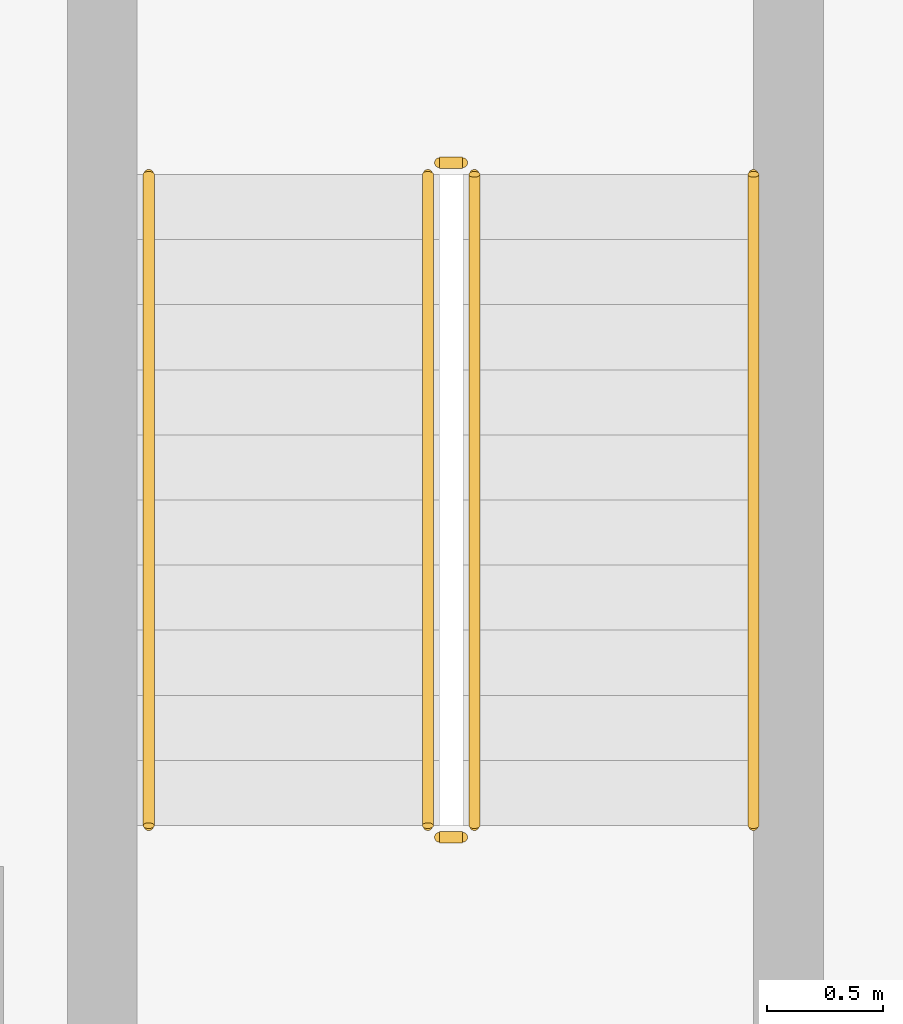
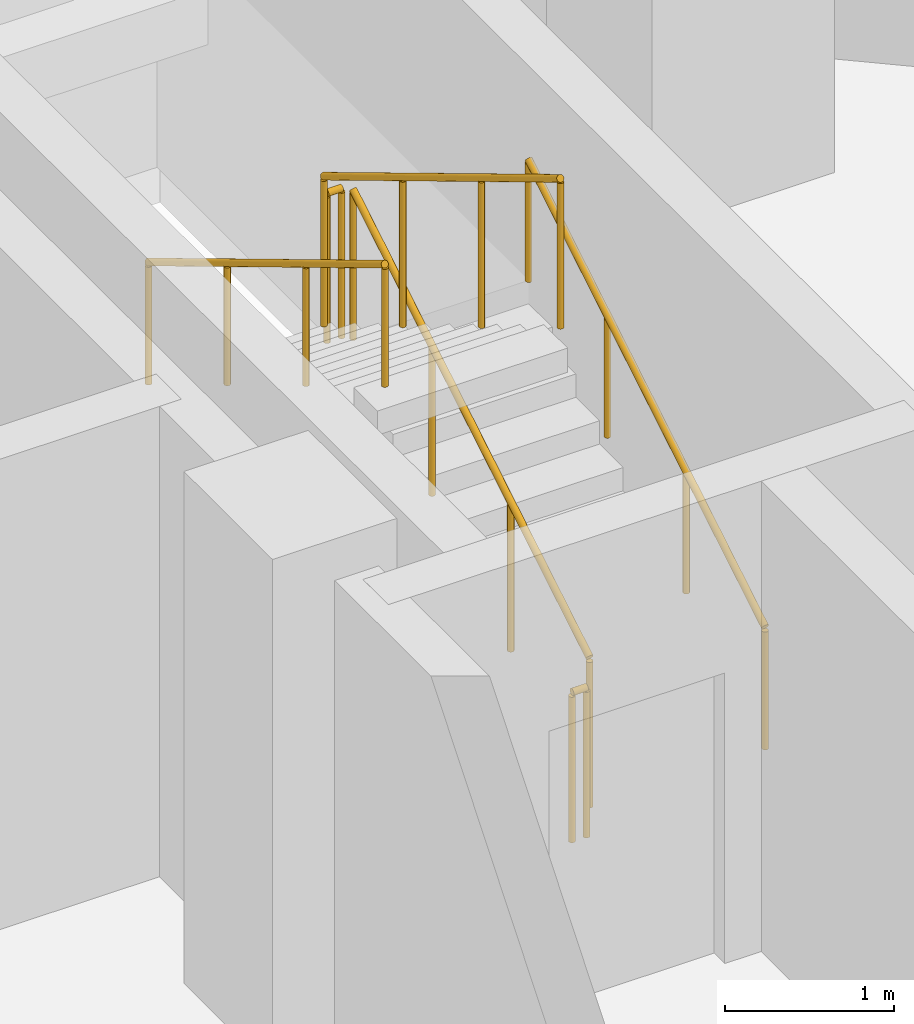
# One storey, part 22 of 22: 6 railings.
"""IFC4 building model written with IfcOpenShell, lengths in metres."""

from ifc_helpers import new_model, si_unit, direction, frame, origin, origin_2d, place, context, subcontext, project, spatial, circle, extrude, material, type_object, element, save


model = new_model("IFC4")

# Units and contexts
model_context = context("Model", 3, precision=1e-05, world=origin(), true_north=direction((0.0, 1.0)))
body_context = subcontext(model_context, "Body", "Model", "MODEL_VIEW")
ifc_project = project(units=[si_unit("LENGTHUNIT", "METRE"), si_unit("AREAUNIT", "SQUARE_METRE"), si_unit("VOLUMEUNIT", "CUBIC_METRE"), si_unit("PLANEANGLEUNIT", "RADIAN"), si_unit("MASSUNIT", "GRAM", prefix="KILO")], contexts=[model_context])

# Site, building, storey
site_placement = place(None, origin())
site = spatial("IfcSite", under=ifc_project, at=site_placement, CompositionType="ELEMENT")
building_placement = place(site_placement, origin())
building = spatial("IfcBuilding", under=site, at=building_placement, Name="Ogive Portal Towers", CompositionType="ELEMENT")
storey_placement = place(building_placement, frame((0.0, 0.0, 113.0)))
storey = spatial("IfcBuildingStorey", under=building, at=storey_placement, Name="L27", CompositionType="ELEMENT", Elevation=113.0)

# Railings
ifc_material_1 = material(Name="Stainless steel balustrade", Category="steel")
railing_type_1 = type_object("IfcRailingType", Name="INT-GUARD", PredefinedType="GUARDRAIL", material=ifc_material_1)
railing_1_placement = place(storey_placement, frame((42.949951171875, 67.199951171875, 0.168212890625)))
element("IfcRailing", 1, at=railing_1_placement, inside=storey, type_object=railing_type_1, Name="L27 ST-A3 stair guard 1", PredefinedType="GUARDRAIL", context=body_context, shape_type="SweptSolid", body=[
    extrude(circle(Radius=0.02392578125, at=origin_2d()), frame((0.0, 0.0, 1.076171875), z_axis=(0.0, 0.857242210791, 0.514913383045), x_axis=(-1.0, 0.0, 0.0)), (0.0, 0.0, 1.0), 3.266357421875),
    extrude(circle(Radius=0.02099609375, at=origin_2d()), origin(), (0.0, 0.0, 1.0), 1.052001953125),
    extrude(circle(Radius=0.02099609375, at=origin_2d()), frame((0.0, 0.933349609375, 0.560546875)), (0.0, 0.0, 1.0), 1.052001953125),
    extrude(circle(Radius=0.02099609375, at=origin_2d()), frame((0.0, 1.86669921875, 1.121337890625)), (0.0, 0.0, 1.0), 1.052001953125),
    extrude(circle(Radius=0.02099609375, at=origin_2d()), frame((0.0, 2.800048828125, 1.681884765625)), (0.0, 0.0, 1.0), 1.052001953125),
])
railing_2_placement = place(storey_placement, frame((42.89990234375, 70.050048828125, 1.85009765625)))
element("IfcRailing", 2, at=railing_2_placement, inside=storey, type_object=railing_type_1, Name="L27 ST-A3 stair guard 2", PredefinedType="GUARDRAIL", context=body_context, shape_type="SweptSolid", body=[
    extrude(circle(Radius=0.02392578125, at=origin_2d()), frame((0.0, 0.0, 1.076171875), z_axis=(-1.0, 0.0, 0.0), x_axis=(0.0, -1.0, 0.0)), (0.0, 0.0, 1.0), 0.099853515625),
    extrude(circle(Radius=0.02099609375, at=origin_2d()), origin(), (0.0, 0.0, 1.0), 1.052001953125),
    extrude(circle(Radius=0.02099609375, at=origin_2d()), frame((-0.099853515625, 0.0, 0.0)), (0.0, 0.0, 1.0), 1.052001953125),
])
railing_3_placement = place(storey_placement, frame((42.75, 70.0, 2.01806640625)))
element("IfcRailing", 3, at=railing_3_placement, inside=storey, type_object=railing_type_1, Name="L27 ST-A3 stair guard 3", PredefinedType="GUARDRAIL", context=body_context, shape_type="SweptSolid", body=[
    extrude(circle(Radius=0.02392578125, at=origin_2d()), frame((0.0, 0.0, 1.076171875), z_axis=(0.0, -0.857242210791, 0.514913383045), x_axis=(1.0, 0.0, 0.0)), (0.0, 0.0, 1.0), 3.266357421875),
    extrude(circle(Radius=0.02099609375, at=origin_2d()), origin(), (0.0, 0.0, 1.0), 1.052001953125),
    extrude(circle(Radius=0.02099609375, at=origin_2d()), frame((0.0, -0.933349609375, 0.560546875)), (0.0, 0.0, 1.0), 1.052001953125),
    extrude(circle(Radius=0.02099609375, at=origin_2d()), frame((0.0, -1.86669921875, 1.121337890625)), (0.0, 0.0, 1.0), 1.052001953125),
    extrude(circle(Radius=0.02099609375, at=origin_2d()), frame((0.0, -2.800048828125, 1.681884765625)), (0.0, 0.0, 1.0), 1.052001953125),
])
railing_4_placement = place(storey_placement, frame((42.89990234375, 67.14990234375, 0.0)))
element("IfcRailing", 4, at=railing_4_placement, inside=storey, type_object=railing_type_1, Name="L27 ST-A3 stair guard 4", PredefinedType="GUARDRAIL", context=body_context, shape_type="SweptSolid", body=[
    extrude(circle(Radius=0.02392578125, at=origin_2d()), frame((0.0, 0.0, 1.076171875), z_axis=(-1.0, 0.0, 0.0), x_axis=(0.0, -1.0, 0.0)), (0.0, 0.0, 1.0), 0.099853515625),
    extrude(circle(Radius=0.02099609375, at=origin_2d()), origin(), (0.0, 0.0, 1.0), 1.052001953125),
    extrude(circle(Radius=0.02099609375, at=origin_2d()), frame((-0.099853515625, 0.0, 0.0)), (0.0, 0.0, 1.0), 1.052001953125),
])
ifc_material_2 = material(Name="Stainless steel handrail", Category="steel")
railing_type_2 = type_object("IfcRailingType", Name="INT-HANDRAIL", PredefinedType="HANDRAIL", material=ifc_material_2)
railing_5_placement = place(storey_placement, frame((44.14990234375, 67.199951171875, 0.168212890625)))
element("IfcRailing", 5, at=railing_5_placement, inside=storey, type_object=railing_type_2, Name="L27 ST-A3 stair handrail 1", PredefinedType="HANDRAIL", context=body_context, shape_type="SweptSolid", body=[
    extrude(circle(Radius=0.02392578125, at=origin_2d()), frame((0.0, 0.0, 0.8759765625), z_axis=(0.0, 0.857242210791, 0.514913383045), x_axis=(-1.0, 0.0, 0.0)), (0.0, 0.0, 1.0), 3.266357421875),
    extrude(circle(Radius=0.02099609375, at=origin_2d()), origin(), (0.0, 0.0, 1.0), 0.851806640625),
    extrude(circle(Radius=0.02099609375, at=origin_2d()), frame((0.0, 0.933349609375, 0.560546875)), (0.0, 0.0, 1.0), 0.851806640625),
    extrude(circle(Radius=0.02099609375, at=origin_2d()), frame((0.0, 1.86669921875, 1.121337890625)), (0.0, 0.0, 1.0), 0.851806640625),
    extrude(circle(Radius=0.02099609375, at=origin_2d()), frame((0.0, 2.800048828125, 1.681884765625)), (0.0, 0.0, 1.0), 0.851806640625),
])
railing_6_placement = place(storey_placement, frame((41.550048828125, 70.0, 2.01806640625)))
element("IfcRailing", 6, at=railing_6_placement, inside=storey, type_object=railing_type_2, Name="L27 ST-A3 stair handrail 2", PredefinedType="HANDRAIL", context=body_context, shape_type="SweptSolid", body=[
    extrude(circle(Radius=0.02392578125, at=origin_2d()), frame((0.0, 0.0, 0.8759765625), z_axis=(0.0, -0.857242210791, 0.514913383045), x_axis=(1.0, 0.0, 0.0)), (0.0, 0.0, 1.0), 3.266357421875),
    extrude(circle(Radius=0.02099609375, at=origin_2d()), origin(), (0.0, 0.0, 1.0), 0.851806640625),
    extrude(circle(Radius=0.02099609375, at=origin_2d()), frame((0.0, -0.933349609375, 0.560546875)), (0.0, 0.0, 1.0), 0.851806640625),
    extrude(circle(Radius=0.02099609375, at=origin_2d()), frame((0.0, -1.86669921875, 1.121337890625)), (0.0, 0.0, 1.0), 0.851806640625),
    extrude(circle(Radius=0.02099609375, at=origin_2d()), frame((0.0, -2.800048828125, 1.681884765625)), (0.0, 0.0, 1.0), 0.851806640625),
])

save(model, "model.ifc")
